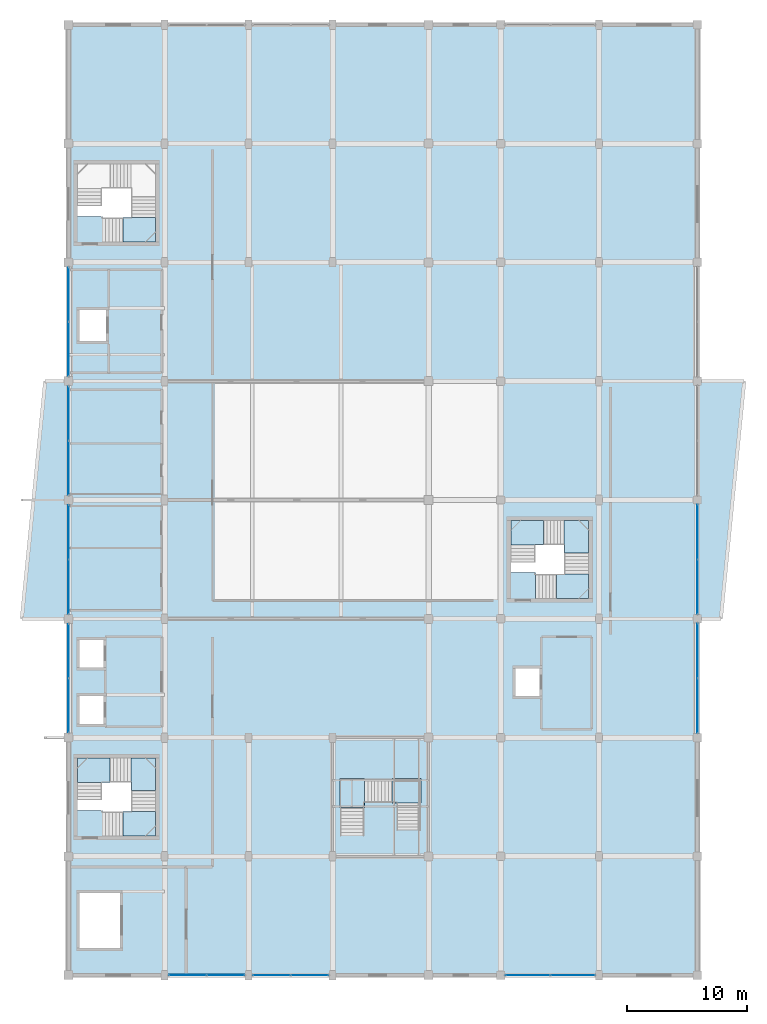
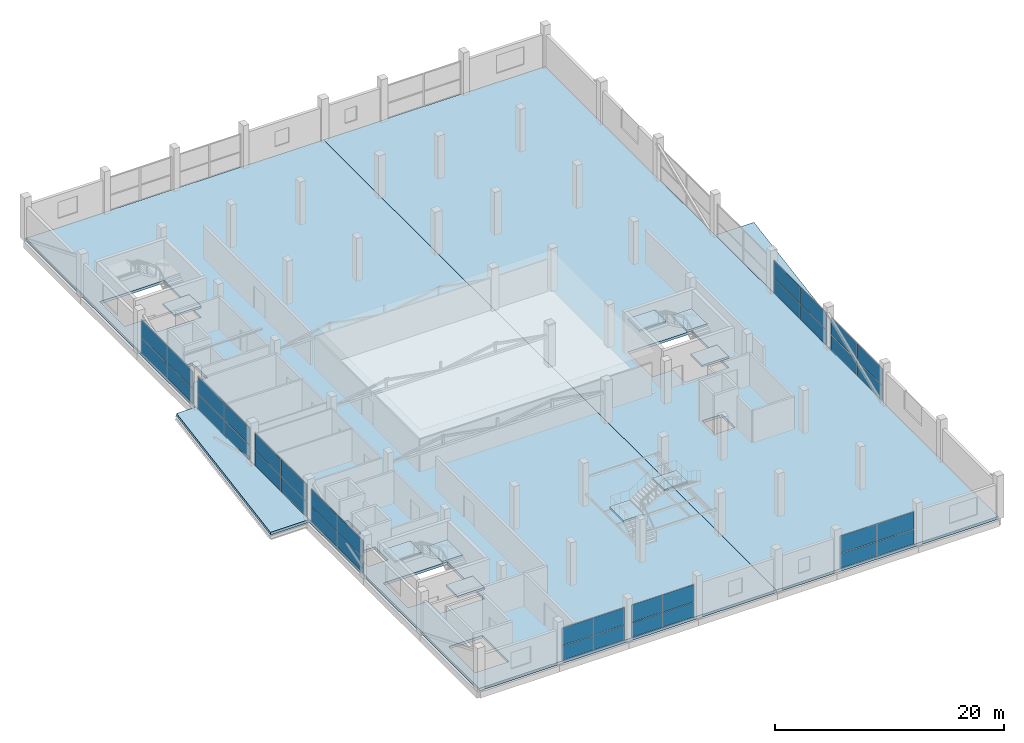
# One storey, part 38 of 58: 36 plates, 13 slabs, 13 elements without a shape of their own.
"""IFC4 building model written with IfcOpenShell, lengths in metres."""

import ifcopenshell
import ifcopenshell.guid

model = None  # the IFC model being written
_history = None  # IfcOwnerHistory: only IFC2X3 demands one
_inside = {}  # id of a spatial element -> (the spatial element, [elements in it])
_under = {}  # id of a project, library or spatial element -> (it, [spatial elements below it])
_declared = {}  # id of a project -> (the project, [libraries it declares])
_typed = {}  # id of a type object -> (the type object, [elements of that type])
_made_of = {}  # id of a material, layer set ... -> (it, [elements and type objects made of it])


def new_model(schema):
    """Start an empty IFC model of exactly this schema.

    Asked for "IFC4X3", IfcOpenShell would pick the latest addendum, in which some entities
    have other attributes; the version numbers below select the first issue.
    IFC2X3 requires an IfcOwnerHistory on every rooted entity: one is made here for all.
    """
    global model, _history
    if schema == "IFC4X3":
        model = ifcopenshell.file(schema_version=(4, 3, 0, 0))
    else:
        model = ifcopenshell.file(schema=schema)
    _inside.clear()
    _under.clear()
    _declared.clear()
    _typed.clear()
    _made_of.clear()
    _history = None
    if model.schema == "IFC2X3":
        org = make("IfcOrganization", Name="unknown")
        user = make(
            "IfcPersonAndOrganization",
            ThePerson=make("IfcPerson", FamilyName="unknown"),
            TheOrganization=org,
        )
        app = make(
            "IfcApplication",
            ApplicationDeveloper=org,
            Version="unknown",
            ApplicationFullName="unknown",
            ApplicationIdentifier="unknown",
        )
        _history = make(
            "IfcOwnerHistory",
            OwningUser=user,
            OwningApplication=app,
            ChangeAction="ADDED",
            CreationDate=0,
        )
    return model


def make(cls, **values):
    """One entity of the class cls with the attributes given. An attribute that is None is left unset."""
    return model.create_entity(
        cls, **{name: value for name, value in values.items() if value is not None}
    )


def rooted(cls, **values):
    """An entity with a GlobalId (a new one), such as an element, a storey or a relation."""
    return make(cls, GlobalId=ifcopenshell.guid.new(), OwnerHistory=_history, **values)


def si_unit(unit_type, name, prefix=None):
    """IfcSIUnit, for example si_unit("LENGTHUNIT", "METRE", prefix="MILLI")."""
    return make("IfcSIUnit", UnitType=unit_type, Prefix=prefix, Name=name)


def assignment(units):
    """IfcUnitAssignment: the units of a project."""
    return None if units is None else make("IfcUnitAssignment", Units=units)


def point(xyz):
    """IfcCartesianPoint."""
    return None if xyz is None else make("IfcCartesianPoint", Coordinates=xyz)


def direction(xyz):
    """IfcDirection."""
    return None if xyz is None else make("IfcDirection", DirectionRatios=xyz)


def frame(location, z_axis=None, x_axis=None):
    """IfcAxis2Placement3D, a coordinate frame: its origin and axes. An axis left out is left unset."""
    return make(
        "IfcAxis2Placement3D",
        Location=point(location),
        Axis=direction(z_axis),
        RefDirection=direction(x_axis),
    )


def frame_2d(location, x_axis=None):
    """IfcAxis2Placement2D, a coordinate frame in the plane: its origin and x axis."""
    return make(
        "IfcAxis2Placement2D", Location=point(location), RefDirection=direction(x_axis)
    )


def origin():
    """The frame at (0, 0, 0) with its axes left unset."""
    return frame((0.0, 0.0, 0.0))


def origin_2d():
    """The frame at (0, 0) in the plane with its x axis left unset."""
    return frame_2d((0.0, 0.0))


def place(relative_to, where):
    """IfcLocalPlacement: puts the frame where relative to a parent placement (None: the world)."""
    return make(
        "IfcLocalPlacement", PlacementRelTo=relative_to, RelativePlacement=where
    )


def context(
    kind, dimensions, precision=None, world=None, true_north=None, identifier=None
):
    """IfcGeometricRepresentationContext, for example the 3D "Model" context."""
    return make(
        "IfcGeometricRepresentationContext",
        ContextIdentifier=identifier,
        ContextType=kind,
        CoordinateSpaceDimension=dimensions,
        Precision=precision,
        WorldCoordinateSystem=world,
        TrueNorth=true_north,
    )


def subcontext(parent, identifier, kind, view, scale=None):
    """IfcGeometricRepresentationSubContext, for example "Body" below "Model"."""
    return make(
        "IfcGeometricRepresentationSubContext",
        ContextIdentifier=identifier,
        ContextType=kind,
        ParentContext=parent,
        TargetScale=scale,
        TargetView=view,
    )


def project(units=None, contexts=None):
    """IfcProject with its units and contexts."""
    return rooted(
        "IfcProject",
        Name="project",
        RepresentationContexts=contexts,
        UnitsInContext=assignment(units),
    )


def spatial(cls, under=None, at=None, **own):
    """A site, building, storey or space (cls), placed at a placement, below another one or the project."""
    s = rooted(cls, ObjectPlacement=at, **own)
    if under is not None:
        _under.setdefault(under.id(), (under, []))[1].append(s)
    return s


def polyline(points):
    """IfcPolyline through the points."""
    return make("IfcPolyline", Points=[point(p) for p in points])


def profile(cls, at=None, kind="AREA", **sizes):
    """A parametric profile (cls). Its sizes go by their IFC names, for example OverallWidth=200.0."""
    return make(cls, ProfileType=kind, Position=at, **sizes)


def rectangle(**sizes):
    """IfcRectangleProfileDef."""
    return profile("IfcRectangleProfileDef", **sizes)


def outline(outer, holes=None, kind="AREA"):
    """IfcArbitraryClosedProfileDef: a profile drawn as a closed curve; with holes, ...WithVoids."""
    if holes is None:
        return make("IfcArbitraryClosedProfileDef", ProfileType=kind, OuterCurve=outer)
    return make(
        "IfcArbitraryProfileDefWithVoids",
        ProfileType=kind,
        OuterCurve=outer,
        InnerCurves=holes,
    )


def extrude(swept, where, along, depth):
    """IfcExtrudedAreaSolid: the profile swept, set in the frame where, extruded along a direction by depth."""
    return make(
        "IfcExtrudedAreaSolid",
        SweptArea=swept,
        Position=where,
        ExtrudedDirection=direction(along),
        Depth=depth,
    )


def shape(context_of_items, identifier, shape_type, items):
    """IfcShapeRepresentation: the items that make up one representation, for example the "Body"."""
    return make(
        "IfcShapeRepresentation",
        ContextOfItems=context_of_items,
        RepresentationIdentifier=identifier,
        RepresentationType=shape_type,
        Items=items,
    )


def material(Name=None, Category=None):
    """IfcMaterial."""
    return make("IfcMaterial", Name=Name, Category=Category)


def layer(
    of_material, thickness, ventilated=None, Name=None, Category=None, Priority=None
):
    """IfcMaterialLayer: one layer of a wall or slab, of a material (None: an air gap)."""
    return make(
        "IfcMaterialLayer",
        Material=of_material,
        LayerThickness=thickness,
        IsVentilated=ventilated,
        Name=Name,
        Category=Category,
        Priority=Priority,
    )


def layer_set(layers, Name=None):
    """IfcMaterialLayerSet."""
    return make("IfcMaterialLayerSet", MaterialLayers=layers, LayerSetName=Name)


def made_of(thing, what):
    """Note that an element or type object is made of a material, layer set ...; save() writes the relation."""
    if what is not None:
        _made_of.setdefault(what.id(), (what, []))[1].append(thing)
    return thing


def type_object(cls, material=None, **own):
    """A type object (cls), such as IfcWallType, which elements share."""
    return made_of(rooted(cls, **own), material)


def element(
    cls,
    number,
    at=None,
    inside=None,
    cuts=None,
    type_object=None,
    material=None,
    context=None,
    identifier="Body",
    shape_type=None,
    held_by="IfcProductDefinitionShape",
    body=None,
    shapes=None,
    **own,
):
    """One element of the class cls, such as IfcWall. Its Tag is "e" and its number.

    at: its placement. inside: the storey or other place that contains it. cuts: it is an
    opening in that element (IfcRelVoidsElement). A single representation is given by context,
    identifier, shape_type and body (its items); several are given by shapes. held_by: the class
    of the entity that holds the representations. save() writes the other relations.
    """
    e = rooted(cls, Tag="e%d" % number, ObjectPlacement=at, **own)
    if body is not None:
        shapes = [shape(context, identifier, shape_type, body)]
    if shapes is not None:
        e.Representation = make(held_by, Representations=shapes)
    if inside is not None:
        _inside.setdefault(inside.id(), (inside, []))[1].append(e)
    if cuts is not None:
        rooted(
            "IfcRelVoidsElement", RelatingBuildingElement=cuts, RelatedOpeningElement=e
        )
    if type_object is not None:
        _typed.setdefault(type_object.id(), (type_object, []))[1].append(e)
    return made_of(e, material)


def aggregate(whole, parts):
    """IfcRelAggregates: a whole, such as a stair, and the parts it consists of."""
    return rooted("IfcRelAggregates", RelatingObject=whole, RelatedObjects=parts)


def save(model, path):
    """Write the relations noted so far, then the file.

    IfcRelAggregates (storeys below a building ...), IfcRelContainedInSpatialStructure (elements
    in a storey), IfcRelDefinesByType, IfcRelAssociatesMaterial and IfcRelDeclares: one each for
    every whole, place, type object, material and project.
    """
    for whole, parts in _under.values():
        aggregate(whole, parts)
    for where, things in _inside.values():
        rooted(
            "IfcRelContainedInSpatialStructure",
            RelatedElements=things,
            RelatingStructure=where,
        )
    for kind, things in _typed.values():
        rooted("IfcRelDefinesByType", RelatedObjects=things, RelatingType=kind)
    for what, things in _made_of.values():
        rooted("IfcRelAssociatesMaterial", RelatedObjects=things, RelatingMaterial=what)
    for by, libraries in _declared.values():
        rooted("IfcRelDeclares", RelatingContext=by, RelatedDefinitions=libraries)
    model.write(path)


model = new_model("IFC4")

# Units and contexts
model_context = context("Model", 3, precision=1e-05, world=origin(), true_north=direction((0.0, 1.0)))
body_context = subcontext(model_context, "Body", "Model", "MODEL_VIEW")
ifc_project = project(units=[si_unit("LENGTHUNIT", "METRE"), si_unit("AREAUNIT", "SQUARE_METRE"), si_unit("VOLUMEUNIT", "CUBIC_METRE"), si_unit("PLANEANGLEUNIT", "RADIAN"), si_unit("MASSUNIT", "GRAM", prefix="KILO")], contexts=[model_context])

# Site, building, storey
site_placement = place(None, origin())
site = spatial("IfcSite", under=ifc_project, at=site_placement, CompositionType="ELEMENT")
building_placement = place(site_placement, origin())
building = spatial("IfcBuilding", under=site, at=building_placement, Name="Sillaruma Civic Art Gallery", CompositionType="ELEMENT")
storey_placement = place(building_placement, frame((0.0, 0.0, 28.56005859375)))
storey = spatial("IfcBuildingStorey", under=building, at=storey_placement, Name="L05", CompositionType="ELEMENT", Elevation=28.56005859375)

# Curtain wall, plates
ifc_material_1 = material(Name="Thermally Broken Extruded Aluminium 6063-T6", Category="aluminium")
ifc_layer_1 = layer(ifc_material_1, 0.139892578125, Name="Thermally Broken Extruded Aluminium 6063-T6")
ifc_layer_set_1 = layer_set([ifc_layer_1], Name="Thermally Broken Extruded Aluminium 6063-T6")
curtain_wall_type_1 = type_object("IfcCurtainWallType", Name="CW-UNI-32", PredefinedType="NOTDEFINED", material=ifc_layer_set_1)
curtain_wall_1_placement = place(storey_placement, origin())
curtain_wall_1 = element("IfcCurtainWall", 1, at=curtain_wall_1_placement, inside=storey, type_object=curtain_wall_type_1, Name="Unitised Curtain Wall CW-32 (CW-L05-E-4)", PredefinedType="NOTDEFINED")
ifc_material_2 = material(Name="Low-E UV-Filtered Laminated Insulating Glass", Category="glass")
ifc_layer_2 = layer(ifc_material_2, 0.028076171875, Name="Low-E UV-Filtered Laminated Insulating Glass")
ifc_layer_set_2 = layer_set([ifc_layer_2], Name="Low-E UV-Filtered Laminated Insulating Glass")
plate_type_1 = type_object("IfcPlateType", Name="PNL-GLZ-28", PredefinedType="CURTAIN_PANEL", material=ifc_layer_set_2)
plate_1_placement = place(storey_placement, frame((114.39990234375, 52.1650390625, 0.059814453125), z_axis=(0.0, 0.0, 1.0), x_axis=(0.0, 1.0, 0.0)))
plate_1 = element("IfcPlate", 2, at=plate_1_placement, type_object=plate_type_1, Name="CW-32 panel 1.1", PredefinedType="CURTAIN_PANEL", context=body_context, shape_type="SweptSolid", body=[
    extrude(rectangle(XDim=4.510009765625, YDim=0.028076171875, at=origin_2d()), origin(), (0.0, 0.0, 1.0), 1.55224609375),
])
plate_2_placement = place(storey_placement, frame((114.39990234375, 52.1650390625, 1.672119140625), z_axis=(0.0, 0.0, 1.0), x_axis=(0.0, 1.0, 0.0)))
plate_2 = element("IfcPlate", 3, at=plate_2_placement, type_object=plate_type_1, Name="CW-32 panel 1.2", PredefinedType="CURTAIN_PANEL", context=body_context, shape_type="SweptSolid", body=[
    extrude(rectangle(XDim=4.510009765625, YDim=0.028076171875, at=origin_2d()), origin(), (0.0, 0.0, 1.0), 1.837890625),
])
plate_3_placement = place(storey_placement, frame((114.39990234375, 56.735107421875, 0.059814453125), z_axis=(0.0, 0.0, 1.0), x_axis=(0.0, 1.0, 0.0)))
plate_3 = element("IfcPlate", 4, at=plate_3_placement, type_object=plate_type_1, Name="CW-32 panel 2.1", PredefinedType="CURTAIN_PANEL", context=body_context, shape_type="SweptSolid", body=[
    extrude(rectangle(XDim=4.510009765625, YDim=0.028076171875, at=origin_2d()), origin(), (0.0, 0.0, 1.0), 1.55224609375),
])
plate_4_placement = place(storey_placement, frame((114.39990234375, 56.735107421875, 1.672119140625), z_axis=(0.0, 0.0, 1.0), x_axis=(0.0, 1.0, 0.0)))
plate_4 = element("IfcPlate", 5, at=plate_4_placement, type_object=plate_type_1, Name="CW-32 panel 2.2", PredefinedType="CURTAIN_PANEL", context=body_context, shape_type="SweptSolid", body=[
    extrude(rectangle(XDim=4.510009765625, YDim=0.028076171875, at=origin_2d()), origin(), (0.0, 0.0, 1.0), 1.837890625),
])
aggregate(curtain_wall_1, [plate_1, plate_2, plate_3, plate_4])

# Curtain wall, plate
ifc_layer_3 = layer(ifc_material_1, 0.159912109375, Name="Thermally Broken Extruded Aluminium 6063-T6")
ifc_layer_set_3 = layer_set([ifc_layer_3], Name="Thermally Broken Extruded Aluminium 6063-T6")
curtain_wall_type_2 = type_object("IfcCurtainWallType", Name="CW-UNI-29", PredefinedType="NOTDEFINED", material=ifc_layer_set_3)
curtain_wall_2_placement = place(storey_placement, origin())
curtain_wall_2 = element("IfcCurtainWall", 6, at=curtain_wall_2_placement, inside=storey, type_object=curtain_wall_type_2, Name="Unitised Curtain Wall CW-29 (CW-L05-W-3)", PredefinedType="NOTDEFINED")
ifc_layer_4 = layer(ifc_material_2, 0.030029296875, Name="Low-E UV-Filtered Laminated Insulating Glass")
ifc_layer_set_4 = layer_set([ifc_layer_4], Name="Low-E UV-Filtered Laminated Insulating Glass")
plate_type_2 = type_object("IfcPlateType", Name="PNL-GLZ-30", PredefinedType="CURTAIN_PANEL", material=ifc_layer_set_4)
plate_5_placement = place(storey_placement, frame((62.0, 46.8212890625, 0.059814453125), z_axis=(0.0, 0.0, 1.0), x_axis=(0.0, 1.0, 0.0)))
plate_5 = element("IfcPlate", 7, at=plate_5_placement, type_object=plate_type_2, Name="CW-29 panel 2.1", PredefinedType="CURTAIN_PANEL", context=body_context, shape_type="SweptSolid", body=[
    extrude(rectangle(XDim=4.4775390625, YDim=0.030029296875, at=origin_2d()), origin(), (0.0, 0.0, 1.0), 1.55224609375),
])

# Curtain wall, plates
ifc_layer_5 = layer(ifc_material_1, 0.159912109375, Name="Thermally Broken Extruded Aluminium 6063-T6")
ifc_layer_set_5 = layer_set([ifc_layer_5], Name="Thermally Broken Extruded Aluminium 6063-T6")
curtain_wall_type_3 = type_object("IfcCurtainWallType", Name="CW-UNI-37", PredefinedType="NOTDEFINED", material=ifc_layer_set_5)
curtain_wall_3_placement = place(storey_placement, origin())
curtain_wall_3 = element("IfcCurtainWall", 8, at=curtain_wall_3_placement, inside=storey, type_object=curtain_wall_type_3, Name="Unitised Curtain Wall CW-37 (CW-L05-S-3)", PredefinedType="NOTDEFINED")
plate_6_placement = place(storey_placement, frame((78.916259765625, 19.800048828125, 0.059814453125), z_axis=(0.0, 0.0, 1.0), x_axis=(1.0, 0.0, 0.0)))
plate_6 = element("IfcPlate", 9, at=plate_6_placement, type_object=plate_type_2, Name="CW-37 panel 1.1", PredefinedType="CURTAIN_PANEL", context=body_context, shape_type="SweptSolid", body=[
    extrude(rectangle(XDim=3.1025390625, YDim=0.030029296875, at=origin_2d()), origin(), (0.0, 0.0, 1.0), 1.55224609375),
])
plate_7_placement = place(storey_placement, frame((78.916259765625, 19.800048828125, 1.672119140625), z_axis=(0.0, 0.0, 1.0), x_axis=(1.0, 0.0, 0.0)))
plate_7 = element("IfcPlate", 10, at=plate_7_placement, type_object=plate_type_2, Name="CW-37 panel 1.2", PredefinedType="CURTAIN_PANEL", context=body_context, shape_type="SweptSolid", body=[
    extrude(rectangle(XDim=3.1025390625, YDim=0.030029296875, at=origin_2d()), origin(), (0.0, 0.0, 1.0), 1.837890625),
])
plate_8_placement = place(storey_placement, frame((82.083740234375, 19.800048828125, 0.059814453125), z_axis=(0.0, 0.0, 1.0), x_axis=(1.0, 0.0, 0.0)))
plate_8 = element("IfcPlate", 11, at=plate_8_placement, type_object=plate_type_2, Name="CW-37 panel 2.1", PredefinedType="CURTAIN_PANEL", context=body_context, shape_type="SweptSolid", body=[
    extrude(rectangle(XDim=3.1025390625, YDim=0.030029296875, at=origin_2d()), origin(), (0.0, 0.0, 1.0), 1.55224609375),
])
plate_9_placement = place(storey_placement, frame((82.083740234375, 19.800048828125, 1.672119140625), z_axis=(0.0, 0.0, 1.0), x_axis=(1.0, 0.0, 0.0)))
plate_9 = element("IfcPlate", 12, at=plate_9_placement, type_object=plate_type_2, Name="CW-37 panel 2.2", PredefinedType="CURTAIN_PANEL", context=body_context, shape_type="SweptSolid", body=[
    extrude(rectangle(XDim=3.1025390625, YDim=0.030029296875, at=origin_2d()), origin(), (0.0, 0.0, 1.0), 1.837890625),
])
aggregate(curtain_wall_3, [plate_6, plate_7, plate_8, plate_9])

# Curtain wall, plate
ifc_layer_6 = layer(ifc_material_1, 0.159912109375, Name="Thermally Broken Extruded Aluminium 6063-T6")
ifc_layer_set_6 = layer_set([ifc_layer_6], Name="Thermally Broken Extruded Aluminium 6063-T6")
curtain_wall_type_4 = type_object("IfcCurtainWallType", Name="CW-UNI-30", PredefinedType="NOTDEFINED", material=ifc_layer_set_6)
curtain_wall_4_placement = place(storey_placement, origin())
curtain_wall_4 = element("IfcCurtainWall", 13, at=curtain_wall_4_placement, inside=storey, type_object=curtain_wall_type_4, Name="Unitised Curtain Wall CW-30 (CW-L05-E-3)", PredefinedType="NOTDEFINED")
ifc_layer_7 = layer(ifc_material_2, 0.031982421875, Name="Low-E UV-Filtered Laminated Insulating Glass")
ifc_layer_set_7 = layer_set([ifc_layer_7], Name="Low-E UV-Filtered Laminated Insulating Glass")
plate_type_3 = type_object("IfcPlateType", Name="PNL-GLZ-32", PredefinedType="CURTAIN_PANEL", material=ifc_layer_set_7)
plate_10_placement = place(storey_placement, frame((114.39990234375, 46.833740234375, 0.06494140625), z_axis=(0.0, 0.0, 1.0), x_axis=(0.0, 1.0, 0.0)))
plate_10 = element("IfcPlate", 14, at=plate_10_placement, type_object=plate_type_3, Name="CW-30 panel 2.1", PredefinedType="CURTAIN_PANEL", context=body_context, shape_type="SweptSolid", body=[
    extrude(rectangle(XDim=4.50244140625, YDim=0.031982421875, at=origin_2d()), origin(), (0.0, 0.0, 1.0), 1.544677734375),
])

curtain_wall_5_placement = place(storey_placement, origin())
curtain_wall_5 = element("IfcCurtainWall", 15, at=curtain_wall_5_placement, inside=storey, type_object=curtain_wall_type_4, Name="Unitised Curtain Wall CW-30 (CW-L05-W-6)", PredefinedType="NOTDEFINED")
plate_11_placement = place(storey_placement, frame((62.0, 76.521240234375, 0.06494140625), z_axis=(0.0, 0.0, 1.0), x_axis=(0.0, 1.0, 0.0)))
plate_11 = element("IfcPlate", 16, at=plate_11_placement, type_object=plate_type_3, Name="CW-30 panel 2.1", PredefinedType="CURTAIN_PANEL", context=body_context, shape_type="SweptSolid", body=[
    extrude(rectangle(XDim=4.4775390625, YDim=0.031982421875, at=origin_2d()), origin(), (0.0, 0.0, 1.0), 1.544677734375),
])

# Curtain wall, plates
ifc_layer_8 = layer(ifc_material_1, 0.159912109375, Name="Thermally Broken Extruded Aluminium 6063-T6")
ifc_layer_set_8 = layer_set([ifc_layer_8], Name="Thermally Broken Extruded Aluminium 6063-T6")
curtain_wall_type_5 = type_object("IfcCurtainWallType", Name="CW-UNI-38", PredefinedType="NOTDEFINED", material=ifc_layer_set_8)
curtain_wall_6_placement = place(storey_placement, origin())
curtain_wall_6 = element("IfcCurtainWall", 17, at=curtain_wall_6_placement, inside=storey, type_object=curtain_wall_type_5, Name="Unitised Curtain Wall CW-38 (CW-L05-S-6)", PredefinedType="NOTDEFINED")
plate_12_placement = place(storey_placement, frame((100.253662109375, 19.800048828125, 0.06494140625), z_axis=(0.0, 0.0, 1.0), x_axis=(1.0, 0.0, 0.0)))
plate_12 = element("IfcPlate", 18, at=plate_12_placement, type_object=plate_type_3, Name="CW-38 panel 1.1", PredefinedType="CURTAIN_PANEL", context=body_context, shape_type="SweptSolid", body=[
    extrude(rectangle(XDim=3.677490234375, YDim=0.031982421875, at=origin_2d()), origin(), (0.0, 0.0, 1.0), 1.544677734375),
])
plate_13_placement = place(storey_placement, frame((100.253662109375, 19.800048828125, 1.6748046875), z_axis=(0.0, 0.0, 1.0), x_axis=(1.0, 0.0, 0.0)))
plate_13 = element("IfcPlate", 19, at=plate_13_placement, type_object=plate_type_3, Name="CW-38 panel 1.2", PredefinedType="CURTAIN_PANEL", context=body_context, shape_type="SweptSolid", body=[
    extrude(rectangle(XDim=3.677490234375, YDim=0.031982421875, at=origin_2d()), origin(), (0.0, 0.0, 1.0), 1.830322265625),
])
plate_14_placement = place(storey_placement, frame((103.996337890625, 19.800048828125, 0.06494140625), z_axis=(0.0, 0.0, 1.0), x_axis=(1.0, 0.0, 0.0)))
plate_14 = element("IfcPlate", 20, at=plate_14_placement, type_object=plate_type_3, Name="CW-38 panel 2.1", PredefinedType="CURTAIN_PANEL", context=body_context, shape_type="SweptSolid", body=[
    extrude(rectangle(XDim=3.677490234375, YDim=0.031982421875, at=origin_2d()), origin(), (0.0, 0.0, 1.0), 1.544677734375),
])
plate_15_placement = place(storey_placement, frame((103.996337890625, 19.800048828125, 1.6748046875), z_axis=(0.0, 0.0, 1.0), x_axis=(1.0, 0.0, 0.0)))
plate_15 = element("IfcPlate", 21, at=plate_15_placement, type_object=plate_type_3, Name="CW-38 panel 2.2", PredefinedType="CURTAIN_PANEL", context=body_context, shape_type="SweptSolid", body=[
    extrude(rectangle(XDim=3.677490234375, YDim=0.031982421875, at=origin_2d()), origin(), (0.0, 0.0, 1.0), 1.830322265625),
])
aggregate(curtain_wall_6, [plate_12, plate_13, plate_14, plate_15])

ifc_layer_9 = layer(ifc_material_1, 0.139892578125, Name="Thermally Broken Extruded Aluminium 6063-T6")
ifc_layer_set_9 = layer_set([ifc_layer_9], Name="Thermally Broken Extruded Aluminium 6063-T6")
curtain_wall_type_6 = type_object("IfcCurtainWallType", Name="CW-UNI-31", PredefinedType="NOTDEFINED", material=ifc_layer_set_9)
curtain_wall_7_placement = place(storey_placement, origin())
curtain_wall_7 = element("IfcCurtainWall", 22, at=curtain_wall_7_placement, inside=storey, type_object=curtain_wall_type_6, Name="Unitised Curtain Wall CW-31 (CW-L05-W-4)", PredefinedType="NOTDEFINED")
ifc_layer_10 = layer(ifc_material_2, 0.033935546875, Name="Low-E UV-Filtered Laminated Insulating Glass")
ifc_layer_set_10 = layer_set([ifc_layer_10], Name="Low-E UV-Filtered Laminated Insulating Glass")
plate_type_4 = type_object("IfcPlateType", Name="PNL-GLZ-34", PredefinedType="CURTAIN_PANEL", material=ifc_layer_set_10)
plate_16_placement = place(storey_placement, frame((62.0, 52.177490234375, 0.06494140625), z_axis=(0.0, 0.0, 1.0), x_axis=(0.0, 1.0, 0.0)))
plate_16 = element("IfcPlate", 23, at=plate_16_placement, type_object=plate_type_4, Name="CW-31 panel 1.1", PredefinedType="CURTAIN_PANEL", context=body_context, shape_type="SweptSolid", body=[
    extrude(rectangle(XDim=4.485107421875, YDim=0.033935546875, at=origin_2d()), origin(), (0.0, 0.0, 1.0), 1.544677734375),
])
plate_17_placement = place(storey_placement, frame((62.0, 52.177490234375, 1.6748046875), z_axis=(0.0, 0.0, 1.0), x_axis=(0.0, 1.0, 0.0)))
plate_17 = element("IfcPlate", 24, at=plate_17_placement, type_object=plate_type_4, Name="CW-31 panel 1.2", PredefinedType="CURTAIN_PANEL", context=body_context, shape_type="SweptSolid", body=[
    extrude(rectangle(XDim=4.485107421875, YDim=0.033935546875, at=origin_2d()), origin(), (0.0, 0.0, 1.0), 1.830322265625),
])
plate_18_placement = place(storey_placement, frame((62.0, 56.722412109375, 0.06494140625), z_axis=(0.0, 0.0, 1.0), x_axis=(0.0, 1.0, 0.0)))
plate_18 = element("IfcPlate", 25, at=plate_18_placement, type_object=plate_type_4, Name="CW-31 panel 2.1", PredefinedType="CURTAIN_PANEL", context=body_context, shape_type="SweptSolid", body=[
    extrude(rectangle(XDim=4.485107421875, YDim=0.033935546875, at=origin_2d()), origin(), (0.0, 0.0, 1.0), 1.544677734375),
])
plate_19_placement = place(storey_placement, frame((62.0, 56.722412109375, 1.6748046875), z_axis=(0.0, 0.0, 1.0), x_axis=(0.0, 1.0, 0.0)))
plate_19 = element("IfcPlate", 26, at=plate_19_placement, type_object=plate_type_4, Name="CW-31 panel 2.2", PredefinedType="CURTAIN_PANEL", context=body_context, shape_type="SweptSolid", body=[
    extrude(rectangle(XDim=4.485107421875, YDim=0.033935546875, at=origin_2d()), origin(), (0.0, 0.0, 1.0), 1.830322265625),
])
aggregate(curtain_wall_7, [plate_16, plate_17, plate_18, plate_19])

ifc_layer_11 = layer(ifc_material_1, 0.179931640625, Name="Thermally Broken Extruded Aluminium 6063-T6")
ifc_layer_set_11 = layer_set([ifc_layer_11], Name="Thermally Broken Extruded Aluminium 6063-T6")
curtain_wall_type_7 = type_object("IfcCurtainWallType", Name="CW-UNI-33", PredefinedType="NOTDEFINED", material=ifc_layer_set_11)
curtain_wall_8_placement = place(storey_placement, origin())
curtain_wall_8 = element("IfcCurtainWall", 27, at=curtain_wall_8_placement, inside=storey, type_object=curtain_wall_type_7, Name="Unitised Curtain Wall CW-33 (CW-L05-W-5)", PredefinedType="NOTDEFINED")
ifc_layer_12 = layer(ifc_material_2, 0.035888671875, Name="Low-E UV-Filtered Laminated Insulating Glass")
ifc_layer_set_12 = layer_set([ifc_layer_12], Name="Low-E UV-Filtered Laminated Insulating Glass")
plate_type_5 = type_object("IfcPlateType", Name="PNL-GLZ-36", PredefinedType="CURTAIN_PANEL", material=ifc_layer_set_12)
plate_20_placement = place(storey_placement, frame((62.0, 62.080078125, 0.070068359375), z_axis=(0.0, 0.0, 1.0), x_axis=(0.0, 1.0, 0.0)))
plate_20 = element("IfcPlate", 28, at=plate_20_placement, type_object=plate_type_5, Name="CW-33 panel 1.1", PredefinedType="CURTAIN_PANEL", context=body_context, shape_type="SweptSolid", body=[
    extrude(rectangle(XDim=4.469970703125, YDim=0.035888671875, at=origin_2d()), origin(), (0.0, 0.0, 1.0), 1.537109375),
])
plate_21_placement = place(storey_placement, frame((62.0, 62.080078125, 1.67724609375), z_axis=(0.0, 0.0, 1.0), x_axis=(0.0, 1.0, 0.0)))
plate_21 = element("IfcPlate", 29, at=plate_21_placement, type_object=plate_type_5, Name="CW-33 panel 1.2", PredefinedType="CURTAIN_PANEL", context=body_context, shape_type="SweptSolid", body=[
    extrude(rectangle(XDim=4.469970703125, YDim=0.035888671875, at=origin_2d()), origin(), (0.0, 0.0, 1.0), 1.82275390625),
])
plate_22_placement = place(storey_placement, frame((62.0, 66.6201171875, 0.070068359375), z_axis=(0.0, 0.0, 1.0), x_axis=(0.0, 1.0, 0.0)))
plate_22 = element("IfcPlate", 30, at=plate_22_placement, type_object=plate_type_5, Name="CW-33 panel 2.1", PredefinedType="CURTAIN_PANEL", context=body_context, shape_type="SweptSolid", body=[
    extrude(rectangle(XDim=4.469970703125, YDim=0.035888671875, at=origin_2d()), origin(), (0.0, 0.0, 1.0), 1.537109375),
])
plate_23_placement = place(storey_placement, frame((62.0, 66.6201171875, 1.67724609375), z_axis=(0.0, 0.0, 1.0), x_axis=(0.0, 1.0, 0.0)))
plate_23 = element("IfcPlate", 31, at=plate_23_placement, type_object=plate_type_5, Name="CW-33 panel 2.2", PredefinedType="CURTAIN_PANEL", context=body_context, shape_type="SweptSolid", body=[
    extrude(rectangle(XDim=4.469970703125, YDim=0.035888671875, at=origin_2d()), origin(), (0.0, 0.0, 1.0), 1.82275390625),
])
aggregate(curtain_wall_8, [plate_20, plate_21, plate_22, plate_23])

ifc_layer_13 = layer(ifc_material_1, 0.179931640625, Name="Thermally Broken Extruded Aluminium 6063-T6")
ifc_layer_set_13 = layer_set([ifc_layer_13], Name="Thermally Broken Extruded Aluminium 6063-T6")
curtain_wall_type_8 = type_object("IfcCurtainWallType", Name="CW-UNI-36", PredefinedType="NOTDEFINED", material=ifc_layer_set_13)
curtain_wall_9_placement = place(storey_placement, origin())
curtain_wall_9 = element("IfcCurtainWall", 32, at=curtain_wall_9_placement, inside=storey, type_object=curtain_wall_type_8, Name="Unitised Curtain Wall CW-36 (CW-L05-S-2)", PredefinedType="NOTDEFINED")
ifc_layer_14 = layer(ifc_material_2, 0.0400390625, Name="Low-E UV-Filtered Laminated Insulating Glass")
ifc_layer_set_14 = layer_set([ifc_layer_14], Name="Low-E UV-Filtered Laminated Insulating Glass")
plate_type_6 = type_object("IfcPlateType", Name="PNL-GLZ-40", PredefinedType="CURTAIN_PANEL", material=ifc_layer_set_14)
plate_24_placement = place(storey_placement, frame((71.91748046875, 19.800048828125, 0.06494140625), z_axis=(0.0, 0.0, 1.0), x_axis=(1.0, 0.0, 0.0)))
plate_24 = element("IfcPlate", 33, at=plate_24_placement, type_object=plate_type_6, Name="CW-36 panel 1.1", PredefinedType="CURTAIN_PANEL", context=body_context, shape_type="SweptSolid", body=[
    extrude(rectangle(XDim=3.094970703125, YDim=0.0400390625, at=origin_2d()), origin(), (0.0, 0.0, 1.0), 1.544677734375),
])
plate_25_placement = place(storey_placement, frame((71.91748046875, 19.800048828125, 1.6748046875), z_axis=(0.0, 0.0, 1.0), x_axis=(1.0, 0.0, 0.0)))
plate_25 = element("IfcPlate", 34, at=plate_25_placement, type_object=plate_type_6, Name="CW-36 panel 1.2", PredefinedType="CURTAIN_PANEL", context=body_context, shape_type="SweptSolid", body=[
    extrude(rectangle(XDim=3.094970703125, YDim=0.0400390625, at=origin_2d()), origin(), (0.0, 0.0, 1.0), 1.830322265625),
])
plate_26_placement = place(storey_placement, frame((75.08251953125, 19.800048828125, 0.06494140625), z_axis=(0.0, 0.0, 1.0), x_axis=(1.0, 0.0, 0.0)))
plate_26 = element("IfcPlate", 35, at=plate_26_placement, type_object=plate_type_6, Name="CW-36 panel 2.1", PredefinedType="CURTAIN_PANEL", context=body_context, shape_type="SweptSolid", body=[
    extrude(rectangle(XDim=3.094970703125, YDim=0.0400390625, at=origin_2d()), origin(), (0.0, 0.0, 1.0), 1.544677734375),
])
plate_27_placement = place(storey_placement, frame((75.08251953125, 19.800048828125, 1.6748046875), z_axis=(0.0, 0.0, 1.0), x_axis=(1.0, 0.0, 0.0)))
plate_27 = element("IfcPlate", 36, at=plate_27_placement, type_object=plate_type_6, Name="CW-36 panel 2.2", PredefinedType="CURTAIN_PANEL", context=body_context, shape_type="SweptSolid", body=[
    extrude(rectangle(XDim=3.094970703125, YDim=0.0400390625, at=origin_2d()), origin(), (0.0, 0.0, 1.0), 1.830322265625),
])
aggregate(curtain_wall_9, [plate_24, plate_25, plate_26, plate_27])

# Plate
ifc_material_3 = material(Name="Anodised Zinc-Aluminium Alloy", Category="aluminium")
ifc_layer_15 = layer(ifc_material_3, 0.030029296875, Name="Anodised Zinc-Aluminium Alloy")
ifc_layer_set_15 = layer_set([ifc_layer_15], Name="Anodised Zinc-Aluminium Alloy")
plate_type_7 = type_object("IfcPlateType", Name="PNL-SPD-30", PredefinedType="CURTAIN_PANEL", material=ifc_layer_set_15)
plate_28_placement = place(storey_placement, frame((62.0, 42.27880859375, 0.059814453125), z_axis=(0.0, 0.0, 1.0), x_axis=(0.0, 1.0, 0.0)))
plate_28 = element("IfcPlate", 37, at=plate_28_placement, type_object=plate_type_7, Name="CW-29 panel 1.1", PredefinedType="CURTAIN_PANEL", context=body_context, shape_type="SweptSolid", body=[
    extrude(rectangle(XDim=4.4775390625, YDim=0.030029296875, at=origin_2d()), origin(), (0.0, 0.0, 1.0), 1.55224609375),
])

plate_29_placement = place(storey_placement, frame((62.0, 42.27880859375, 1.672119140625), z_axis=(0.0, 0.0, 1.0), x_axis=(0.0, 1.0, 0.0)))
plate_29 = element("IfcPlate", 38, at=plate_29_placement, type_object=plate_type_7, Name="CW-29 panel 1.2", PredefinedType="CURTAIN_PANEL", context=body_context, shape_type="SweptSolid", body=[
    extrude(rectangle(XDim=4.4775390625, YDim=0.030029296875, at=origin_2d()), origin(), (0.0, 0.0, 1.0), 1.837890625),
])

plate_30_placement = place(storey_placement, frame((62.0, 46.8212890625, 1.672119140625), z_axis=(0.0, 0.0, 1.0), x_axis=(0.0, 1.0, 0.0)))
plate_30 = element("IfcPlate", 39, at=plate_30_placement, type_object=plate_type_7, Name="CW-29 panel 2.2", PredefinedType="CURTAIN_PANEL", context=body_context, shape_type="SweptSolid", body=[
    extrude(rectangle(XDim=4.4775390625, YDim=0.030029296875, at=origin_2d()), origin(), (0.0, 0.0, 1.0), 1.837890625),
])

aggregate(curtain_wall_2, [plate_28, plate_29, plate_5, plate_30])

ifc_layer_16 = layer(ifc_material_3, 0.031982421875, Name="Anodised Zinc-Aluminium Alloy")
ifc_layer_set_16 = layer_set([ifc_layer_16], Name="Anodised Zinc-Aluminium Alloy")
plate_type_8 = type_object("IfcPlateType", Name="PNL-SPD-32", PredefinedType="CURTAIN_PANEL", material=ifc_layer_set_16)
plate_31_placement = place(storey_placement, frame((114.39990234375, 42.266357421875, 0.06494140625), z_axis=(0.0, 0.0, 1.0), x_axis=(0.0, 1.0, 0.0)))
plate_31 = element("IfcPlate", 40, at=plate_31_placement, type_object=plate_type_8, Name="CW-30 panel 1.1", PredefinedType="CURTAIN_PANEL", context=body_context, shape_type="SweptSolid", body=[
    extrude(rectangle(XDim=4.50244140625, YDim=0.031982421875, at=origin_2d()), origin(), (0.0, 0.0, 1.0), 1.544677734375),
])

plate_32_placement = place(storey_placement, frame((114.39990234375, 42.266357421875, 1.6748046875), z_axis=(0.0, 0.0, 1.0), x_axis=(0.0, 1.0, 0.0)))
plate_32 = element("IfcPlate", 41, at=plate_32_placement, type_object=plate_type_8, Name="CW-30 panel 1.2", PredefinedType="CURTAIN_PANEL", context=body_context, shape_type="SweptSolid", body=[
    extrude(rectangle(XDim=4.50244140625, YDim=0.031982421875, at=origin_2d()), origin(), (0.0, 0.0, 1.0), 1.830322265625),
])

plate_33_placement = place(storey_placement, frame((114.39990234375, 46.833740234375, 1.6748046875), z_axis=(0.0, 0.0, 1.0), x_axis=(0.0, 1.0, 0.0)))
plate_33 = element("IfcPlate", 42, at=plate_33_placement, type_object=plate_type_8, Name="CW-30 panel 2.2", PredefinedType="CURTAIN_PANEL", context=body_context, shape_type="SweptSolid", body=[
    extrude(rectangle(XDim=4.50244140625, YDim=0.031982421875, at=origin_2d()), origin(), (0.0, 0.0, 1.0), 1.830322265625),
])

aggregate(curtain_wall_4, [plate_31, plate_32, plate_10, plate_33])

plate_34_placement = place(storey_placement, frame((62.0, 71.978759765625, 0.06494140625), z_axis=(0.0, 0.0, 1.0), x_axis=(0.0, 1.0, 0.0)))
plate_34 = element("IfcPlate", 43, at=plate_34_placement, type_object=plate_type_8, Name="CW-30 panel 1.1", PredefinedType="CURTAIN_PANEL", context=body_context, shape_type="SweptSolid", body=[
    extrude(rectangle(XDim=4.4775390625, YDim=0.031982421875, at=origin_2d()), origin(), (0.0, 0.0, 1.0), 1.544677734375),
])

plate_35_placement = place(storey_placement, frame((62.0, 71.978759765625, 1.6748046875), z_axis=(0.0, 0.0, 1.0), x_axis=(0.0, 1.0, 0.0)))
plate_35 = element("IfcPlate", 44, at=plate_35_placement, type_object=plate_type_8, Name="CW-30 panel 1.2", PredefinedType="CURTAIN_PANEL", context=body_context, shape_type="SweptSolid", body=[
    extrude(rectangle(XDim=4.4775390625, YDim=0.031982421875, at=origin_2d()), origin(), (0.0, 0.0, 1.0), 1.830322265625),
])

plate_36_placement = place(storey_placement, frame((62.0, 76.521240234375, 1.6748046875), z_axis=(0.0, 0.0, 1.0), x_axis=(0.0, 1.0, 0.0)))
plate_36 = element("IfcPlate", 45, at=plate_36_placement, type_object=plate_type_8, Name="CW-30 panel 2.2", PredefinedType="CURTAIN_PANEL", context=body_context, shape_type="SweptSolid", body=[
    extrude(rectangle(XDim=4.4775390625, YDim=0.031982421875, at=origin_2d()), origin(), (0.0, 0.0, 1.0), 1.830322265625),
])

aggregate(curtain_wall_5, [plate_34, plate_35, plate_11, plate_36])

# Slabs
ifc_material_4 = material(Name="Concrete H35 (35 MPa)", Category="concrete")
ifc_layer_17 = layer(ifc_material_4, 0.280029296875, Name="Concrete H35 (35 MPa)")
ifc_layer_set_17 = layer_set([ifc_layer_17], Name="Concrete H35 (35 MPa)")
slab_type_1 = type_object("IfcSlabType", Name="SLB-FLR-280", PredefinedType="FLOOR", material=ifc_layer_set_17)
slab_1_placement = place(storey_placement, frame((0.0, 0.0, -0.280029296875)))
element("IfcSlab", 46, at=slab_1_placement, inside=storey, type_object=slab_type_1, Name="Floor Slab SF-280 (SLB-L05-WEST)", PredefinedType="FLOOR", context=body_context, shape_type="SweptSolid", body=[
    extrude(outline(polyline([(62.0, 19.800048828125), (92.0, 19.800048828125), (92.0, 99.0), (62.0, 99.0), (62.0, 19.800048828125)]), holes=[polyline([(64.81494140625, 80.909912109375), (69.239990234375, 80.909912109375), (69.239990234375, 87.389892578125), (62.760009765625, 87.389892578125), (62.760009765625, 83.044921875), (64.81494140625, 83.044921875), (64.81494140625, 80.909912109375)]), polyline([(64.81494140625, 31.409912109375), (69.239990234375, 31.409912109375), (69.239990234375, 37.889892578125), (62.760009765625, 37.889892578125), (62.760009765625, 33.544921875), (64.81494140625, 33.544921875), (64.81494140625, 31.409912109375)]), polyline([(62.89990234375, 40.75), (64.89990234375, 40.75), (64.89990234375, 43.050048828125), (62.89990234375, 43.050048828125), (62.89990234375, 40.75)]), polyline([(62.89990234375, 45.449951171875), (64.89990234375, 45.449951171875), (64.89990234375, 47.75), (62.89990234375, 47.75), (62.89990234375, 45.449951171875)]), polyline([(62.89990234375, 72.64990234375), (65.10009765625, 72.64990234375), (65.10009765625, 75.25), (62.89990234375, 75.25), (62.89990234375, 72.64990234375)]), polyline([(62.89990234375, 22.050048828125), (66.300048828125, 22.050048828125), (66.300048828125, 26.64990234375), (62.89990234375, 26.64990234375), (62.89990234375, 22.050048828125)])]), origin(), (0.0, 0.0, 1.0), 0.280029296875),
])
slab_2_placement = place(storey_placement, frame((0.0, 0.0, -0.280029296875)))
element("IfcSlab", 47, at=slab_2_placement, inside=storey, type_object=slab_type_1, Name="Floor Slab SF-280 (SLB-L05-EAST)", PredefinedType="FLOOR", context=body_context, shape_type="SweptSolid", body=[
    extrude(outline(polyline([(92.0, 19.800048828125), (114.39990234375, 19.800048828125), (114.39990234375, 99.0), (92.0, 99.0), (92.0, 19.800048828125)]), holes=[polyline([(100.9150390625, 51.2099609375), (105.340087890625, 51.2099609375), (105.340087890625, 57.68994140625), (98.860107421875, 57.68994140625), (98.860107421875, 53.344970703125), (100.9150390625, 53.344970703125), (100.9150390625, 51.2099609375)]), polyline([(99.25, 43.050048828125), (101.25, 43.050048828125), (101.25, 45.35009765625), (99.25, 45.35009765625), (99.25, 43.050048828125)])]), origin(), (0.0, 0.0, 1.0), 0.280029296875),
])

# Stair, slabs
stair_type_1 = type_object("IfcStairType", Name="STR-3F-27", PredefinedType="TWO_QUARTER_TURN_STAIR", material=ifc_material_4)
stair_1_placement = place(storey_placement, origin())
stair_1 = element("IfcStair", 48, at=stair_1_placement, inside=storey, type_object=stair_type_1, Name="Monumental Gallery Feature Stair ST-G02 (L05)", PredefinedType="TWO_QUARTER_TURN_STAIR")
ifc_layer_18 = layer(ifc_material_4, 0.18505859375, Name="Concrete H35 (35 MPa)")
ifc_layer_set_18 = layer_set([ifc_layer_18], Name="Concrete H35 (35 MPa)")
slab_type_2 = type_object("IfcSlabType", Name="SLB-LND-185", PredefinedType="LANDING", material=ifc_layer_set_18)
slab_3_placement = place(storey_placement, frame((0.0, 0.0, 1.344970703125)))
slab_3 = element("IfcSlab", 49, at=slab_3_placement, type_object=slab_type_2, Name="ST-G02 landing 1", PredefinedType="LANDING", context=body_context, shape_type="SweptSolid", body=[
    extrude(outline(polyline([(84.60009765625, 33.719970703125), (86.639892578125, 33.719970703125), (86.639892578125, 36.199951171875), (84.60009765625, 36.199951171875), (84.60009765625, 33.719970703125)])), origin(), (0.0, 0.0, 1.0), 0.18505859375),
])
slab_4_placement = place(storey_placement, frame((0.0, 0.0, 2.875)))
slab_4 = element("IfcSlab", 50, at=slab_4_placement, type_object=slab_type_2, Name="ST-G02 landing 2", PredefinedType="LANDING", context=body_context, shape_type="SweptSolid", body=[
    extrude(outline(polyline([(88.9599609375, 34.159912109375), (91.360107421875, 34.159912109375), (91.360107421875, 36.199951171875), (88.9599609375, 36.199951171875), (88.9599609375, 34.159912109375)])), origin(), (0.0, 0.0, 1.0), 0.18505859375),
])
aggregate(stair_1, [slab_3, slab_4])

# Stair, slab
stair_type_2 = type_object("IfcStairType", Name="STR-4F-27", PredefinedType="USERDEFINED", material=ifc_material_4)
stair_2_placement = place(storey_placement, origin())
stair_2 = element("IfcStair", 51, at=stair_2_placement, inside=storey, type_object=stair_type_2, Name="Protected Exit Stair ST-02 (West Bar North) (L05)", ObjectType="THREE_RETURN_STAIR", PredefinedType="USERDEFINED")
ifc_layer_19 = layer(ifc_material_4, 0.199951171875, Name="Concrete H35 (35 MPa)")
ifc_layer_set_19 = layer_set([ifc_layer_19], Name="Concrete H35 (35 MPa)")
slab_type_3 = type_object("IfcSlabType", Name="SLB-LND-200", PredefinedType="LANDING", material=ifc_layer_set_19)
slab_5_placement = place(storey_placement, frame((0.0, 0.0, 0.989990234375)))
slab_5 = element("IfcSlab", 52, at=slab_5_placement, type_object=slab_type_3, Name="ST-02 landing 1", PredefinedType="LANDING", context=body_context, shape_type="SweptSolid", body=[
    extrude(outline(polyline([(66.5400390625, 80.909912109375), (69.239990234375, 80.909912109375), (69.239990234375, 82.949951171875), (66.5400390625, 82.949951171875), (66.5400390625, 80.909912109375)])), origin(), (0.0, 0.0, 1.0), 0.199951171875),
])
aggregate(stair_2, [slab_5])

# Stair, slabs
stair_3_placement = place(storey_placement, origin())
stair_3 = element("IfcStair", 53, at=stair_3_placement, inside=storey, type_object=stair_type_2, Name="Protected Exit Stair ST-03 (West Bar South) (L05)", ObjectType="THREE_RETURN_STAIR", PredefinedType="USERDEFINED")
slab_6_placement = place(storey_placement, frame((0.0, 0.0, 0.989990234375)))
slab_6 = element("IfcSlab", 54, at=slab_6_placement, type_object=slab_type_3, Name="ST-03 landing 1", PredefinedType="LANDING", context=body_context, shape_type="SweptSolid", body=[
    extrude(outline(polyline([(66.5400390625, 31.409912109375), (69.239990234375, 31.409912109375), (69.239990234375, 33.449951171875), (66.5400390625, 33.449951171875), (66.5400390625, 31.409912109375)])), origin(), (0.0, 0.0, 1.0), 0.199951171875),
])
slab_7_placement = place(storey_placement, frame((0.0, 0.0, 2.179931640625)))
slab_7 = element("IfcSlab", 55, at=slab_7_placement, type_object=slab_type_3, Name="ST-03 landing 2", PredefinedType="LANDING", context=body_context, shape_type="SweptSolid", body=[
    extrude(outline(polyline([(67.199951171875, 35.18994140625), (69.239990234375, 35.18994140625), (69.239990234375, 37.889892578125), (67.199951171875, 37.889892578125), (67.199951171875, 35.18994140625)])), origin(), (0.0, 0.0, 1.0), 0.199951171875),
])
slab_8_placement = place(storey_placement, frame((0.0, 0.0, 3.369873046875)))
slab_8 = element("IfcSlab", 56, at=slab_8_placement, type_object=slab_type_3, Name="ST-03 landing 3", PredefinedType="LANDING", context=body_context, shape_type="SweptSolid", body=[
    extrude(outline(polyline([(62.760009765625, 35.85009765625), (65.4599609375, 35.85009765625), (65.4599609375, 37.889892578125), (62.760009765625, 37.889892578125), (62.760009765625, 35.85009765625)])), origin(), (0.0, 0.0, 1.0), 0.199951171875),
])
aggregate(stair_3, [slab_6, slab_7, slab_8])

stair_4_placement = place(storey_placement, origin())
stair_4 = element("IfcStair", 57, at=stair_4_placement, inside=storey, type_object=stair_type_2, Name="Protected Exit Stair ST-04 (East Bar) (L05)", ObjectType="THREE_RETURN_STAIR", PredefinedType="USERDEFINED")
slab_9_placement = place(storey_placement, frame((0.0, 0.0, 0.989990234375)))
slab_9 = element("IfcSlab", 58, at=slab_9_placement, type_object=slab_type_3, Name="ST-04 landing 1", PredefinedType="LANDING", context=body_context, shape_type="SweptSolid", body=[
    extrude(outline(polyline([(102.639892578125, 51.2099609375), (105.340087890625, 51.2099609375), (105.340087890625, 53.25), (102.639892578125, 53.25), (102.639892578125, 51.2099609375)])), origin(), (0.0, 0.0, 1.0), 0.199951171875),
])
slab_10_placement = place(storey_placement, frame((0.0, 0.0, 2.179931640625)))
slab_10 = element("IfcSlab", 59, at=slab_10_placement, type_object=slab_type_3, Name="ST-04 landing 2", PredefinedType="LANDING", context=body_context, shape_type="SweptSolid", body=[
    extrude(outline(polyline([(103.300048828125, 54.989990234375), (105.340087890625, 54.989990234375), (105.340087890625, 57.68994140625), (103.300048828125, 57.68994140625), (103.300048828125, 54.989990234375)])), origin(), (0.0, 0.0, 1.0), 0.199951171875),
])
slab_11_placement = place(storey_placement, frame((0.0, 0.0, 3.369873046875)))
slab_11 = element("IfcSlab", 60, at=slab_11_placement, type_object=slab_type_3, Name="ST-04 landing 3", PredefinedType="LANDING", context=body_context, shape_type="SweptSolid", body=[
    extrude(outline(polyline([(98.860107421875, 55.64990234375), (101.56005859375, 55.64990234375), (101.56005859375, 57.68994140625), (98.860107421875, 57.68994140625), (98.860107421875, 55.64990234375)])), origin(), (0.0, 0.0, 1.0), 0.199951171875),
])
aggregate(stair_4, [slab_9, slab_10, slab_11])

# Slabs
ifc_layer_20 = layer(ifc_material_4, 0.280029296875, Name="Concrete H35 (35 MPa)")
ifc_layer_set_20 = layer_set([ifc_layer_20], Name="Concrete H35 (35 MPa)")
slab_type_4 = type_object("IfcSlabType", Name="SLB-ROOF-280", PredefinedType="ROOF", material=ifc_layer_set_20)
slab_12_placement = place(storey_placement, frame((0.0, 0.0, -0.280029296875)))
element("IfcSlab", 61, at=slab_12_placement, inside=storey, type_object=slab_type_4, Name="Roof Slab SR-280 (ROOF-L05-PRWW)", PredefinedType="ROOF", context=body_context, shape_type="SweptSolid", body=[
    extrude(outline(polyline([(62.0, 49.5), (62.0, 69.300048828125), (60.050048828125, 69.300048828125), (58.10009765625, 49.5), (62.0, 49.5)])), origin(), (0.0, 0.0, 1.0), 0.280029296875),
])
slab_13_placement = place(storey_placement, frame((0.0, 0.0, -0.280029296875)))
element("IfcSlab", 62, at=slab_13_placement, inside=storey, type_object=slab_type_4, Name="Roof Slab SR-280 (ROOF-L05-PRWE)", PredefinedType="ROOF", context=body_context, shape_type="SweptSolid", body=[
    extrude(outline(polyline([(114.39990234375, 49.5), (116.35009765625, 49.5), (118.300048828125, 69.300048828125), (114.39990234375, 69.300048828125), (114.39990234375, 49.5)])), origin(), (0.0, 0.0, 1.0), 0.280029296875),
])

save(model, "model.ifc")
